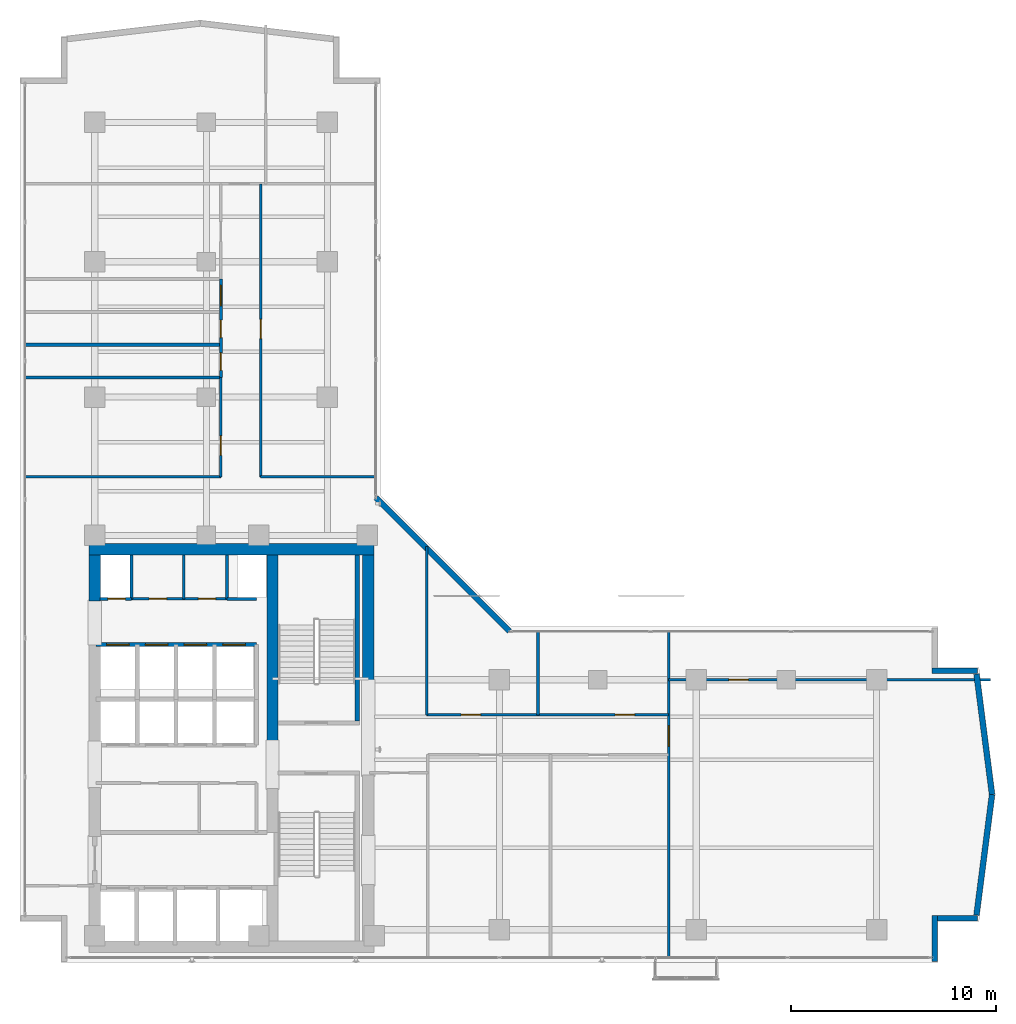
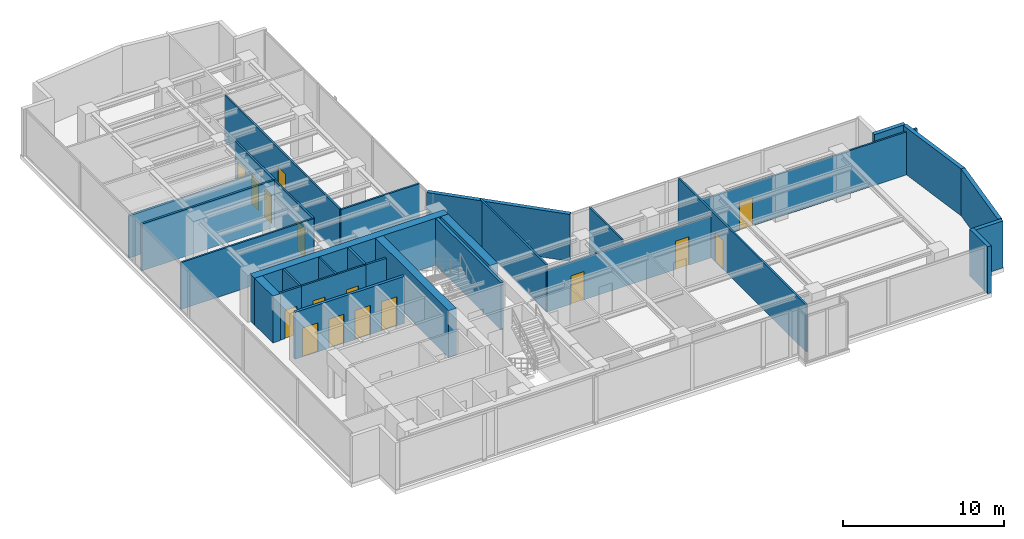
# One storey, part 18 of 25: 30 walls, 16 doors, 16 openings.
"""IFC4 building model written with IfcOpenShell, lengths in metres."""

import ifcopenshell
import ifcopenshell.guid

model = None  # the IFC model being written
_history = None  # IfcOwnerHistory: only IFC2X3 demands one
_inside = {}  # id of a spatial element -> (the spatial element, [elements in it])
_under = {}  # id of a project, library or spatial element -> (it, [spatial elements below it])
_declared = {}  # id of a project -> (the project, [libraries it declares])
_typed = {}  # id of a type object -> (the type object, [elements of that type])
_made_of = {}  # id of a material, layer set ... -> (it, [elements and type objects made of it])


def new_model(schema):
    """Start an empty IFC model of exactly this schema.

    Asked for "IFC4X3", IfcOpenShell would pick the latest addendum, in which some entities
    have other attributes; the version numbers below select the first issue.
    IFC2X3 requires an IfcOwnerHistory on every rooted entity: one is made here for all.
    """
    global model, _history
    if schema == "IFC4X3":
        model = ifcopenshell.file(schema_version=(4, 3, 0, 0))
    else:
        model = ifcopenshell.file(schema=schema)
    _inside.clear()
    _under.clear()
    _declared.clear()
    _typed.clear()
    _made_of.clear()
    _history = None
    if model.schema == "IFC2X3":
        org = make("IfcOrganization", Name="unknown")
        user = make(
            "IfcPersonAndOrganization",
            ThePerson=make("IfcPerson", FamilyName="unknown"),
            TheOrganization=org,
        )
        app = make(
            "IfcApplication",
            ApplicationDeveloper=org,
            Version="unknown",
            ApplicationFullName="unknown",
            ApplicationIdentifier="unknown",
        )
        _history = make(
            "IfcOwnerHistory",
            OwningUser=user,
            OwningApplication=app,
            ChangeAction="ADDED",
            CreationDate=0,
        )
    return model


def make(cls, **values):
    """One entity of the class cls with the attributes given. An attribute that is None is left unset."""
    return model.create_entity(
        cls, **{name: value for name, value in values.items() if value is not None}
    )


def rooted(cls, **values):
    """An entity with a GlobalId (a new one), such as an element, a storey or a relation."""
    return make(cls, GlobalId=ifcopenshell.guid.new(), OwnerHistory=_history, **values)


def si_unit(unit_type, name, prefix=None):
    """IfcSIUnit, for example si_unit("LENGTHUNIT", "METRE", prefix="MILLI")."""
    return make("IfcSIUnit", UnitType=unit_type, Prefix=prefix, Name=name)


def assignment(units):
    """IfcUnitAssignment: the units of a project."""
    return None if units is None else make("IfcUnitAssignment", Units=units)


def point(xyz):
    """IfcCartesianPoint."""
    return None if xyz is None else make("IfcCartesianPoint", Coordinates=xyz)


def direction(xyz):
    """IfcDirection."""
    return None if xyz is None else make("IfcDirection", DirectionRatios=xyz)


def frame(location, z_axis=None, x_axis=None):
    """IfcAxis2Placement3D, a coordinate frame: its origin and axes. An axis left out is left unset."""
    return make(
        "IfcAxis2Placement3D",
        Location=point(location),
        Axis=direction(z_axis),
        RefDirection=direction(x_axis),
    )


def frame_2d(location, x_axis=None):
    """IfcAxis2Placement2D, a coordinate frame in the plane: its origin and x axis."""
    return make(
        "IfcAxis2Placement2D", Location=point(location), RefDirection=direction(x_axis)
    )


def origin():
    """The frame at (0, 0, 0) with its axes left unset."""
    return frame((0.0, 0.0, 0.0))


def place(relative_to, where):
    """IfcLocalPlacement: puts the frame where relative to a parent placement (None: the world)."""
    return make(
        "IfcLocalPlacement", PlacementRelTo=relative_to, RelativePlacement=where
    )


def context(
    kind, dimensions, precision=None, world=None, true_north=None, identifier=None
):
    """IfcGeometricRepresentationContext, for example the 3D "Model" context."""
    return make(
        "IfcGeometricRepresentationContext",
        ContextIdentifier=identifier,
        ContextType=kind,
        CoordinateSpaceDimension=dimensions,
        Precision=precision,
        WorldCoordinateSystem=world,
        TrueNorth=true_north,
    )


def subcontext(parent, identifier, kind, view, scale=None):
    """IfcGeometricRepresentationSubContext, for example "Body" below "Model"."""
    return make(
        "IfcGeometricRepresentationSubContext",
        ContextIdentifier=identifier,
        ContextType=kind,
        ParentContext=parent,
        TargetScale=scale,
        TargetView=view,
    )


def project(units=None, contexts=None):
    """IfcProject with its units and contexts."""
    return rooted(
        "IfcProject",
        Name="project",
        RepresentationContexts=contexts,
        UnitsInContext=assignment(units),
    )


def spatial(cls, under=None, at=None, **own):
    """A site, building, storey or space (cls), placed at a placement, below another one or the project."""
    s = rooted(cls, ObjectPlacement=at, **own)
    if under is not None:
        _under.setdefault(under.id(), (under, []))[1].append(s)
    return s


def profile(cls, at=None, kind="AREA", **sizes):
    """A parametric profile (cls). Its sizes go by their IFC names, for example OverallWidth=200.0."""
    return make(cls, ProfileType=kind, Position=at, **sizes)


def rectangle(**sizes):
    """IfcRectangleProfileDef."""
    return profile("IfcRectangleProfileDef", **sizes)


def extrude(swept, where, along, depth):
    """IfcExtrudedAreaSolid: the profile swept, set in the frame where, extruded along a direction by depth."""
    return make(
        "IfcExtrudedAreaSolid",
        SweptArea=swept,
        Position=where,
        ExtrudedDirection=direction(along),
        Depth=depth,
    )


def shape(context_of_items, identifier, shape_type, items):
    """IfcShapeRepresentation: the items that make up one representation, for example the "Body"."""
    return make(
        "IfcShapeRepresentation",
        ContextOfItems=context_of_items,
        RepresentationIdentifier=identifier,
        RepresentationType=shape_type,
        Items=items,
    )


def material(Name=None, Category=None):
    """IfcMaterial."""
    return make("IfcMaterial", Name=Name, Category=Category)


def layer(
    of_material, thickness, ventilated=None, Name=None, Category=None, Priority=None
):
    """IfcMaterialLayer: one layer of a wall or slab, of a material (None: an air gap)."""
    return make(
        "IfcMaterialLayer",
        Material=of_material,
        LayerThickness=thickness,
        IsVentilated=ventilated,
        Name=Name,
        Category=Category,
        Priority=Priority,
    )


def layer_set(layers, Name=None):
    """IfcMaterialLayerSet."""
    return make("IfcMaterialLayerSet", MaterialLayers=layers, LayerSetName=Name)


def made_of(thing, what):
    """Note that an element or type object is made of a material, layer set ...; save() writes the relation."""
    if what is not None:
        _made_of.setdefault(what.id(), (what, []))[1].append(thing)
    return thing


def type_object(cls, material=None, **own):
    """A type object (cls), such as IfcWallType, which elements share."""
    return made_of(rooted(cls, **own), material)


def element(
    cls,
    number,
    at=None,
    inside=None,
    cuts=None,
    type_object=None,
    material=None,
    context=None,
    identifier="Body",
    shape_type=None,
    held_by="IfcProductDefinitionShape",
    body=None,
    shapes=None,
    **own,
):
    """One element of the class cls, such as IfcWall. Its Tag is "e" and its number.

    at: its placement. inside: the storey or other place that contains it. cuts: it is an
    opening in that element (IfcRelVoidsElement). A single representation is given by context,
    identifier, shape_type and body (its items); several are given by shapes. held_by: the class
    of the entity that holds the representations. save() writes the other relations.
    """
    e = rooted(cls, Tag="e%d" % number, ObjectPlacement=at, **own)
    if body is not None:
        shapes = [shape(context, identifier, shape_type, body)]
    if shapes is not None:
        e.Representation = make(held_by, Representations=shapes)
    if inside is not None:
        _inside.setdefault(inside.id(), (inside, []))[1].append(e)
    if cuts is not None:
        rooted(
            "IfcRelVoidsElement", RelatingBuildingElement=cuts, RelatedOpeningElement=e
        )
    if type_object is not None:
        _typed.setdefault(type_object.id(), (type_object, []))[1].append(e)
    return made_of(e, material)


def fill(opening, filler):
    """IfcRelFillsElement: the door or window that sits in an opening."""
    return rooted(
        "IfcRelFillsElement",
        RelatingOpeningElement=opening,
        RelatedBuildingElement=filler,
    )


def aggregate(whole, parts):
    """IfcRelAggregates: a whole, such as a stair, and the parts it consists of."""
    return rooted("IfcRelAggregates", RelatingObject=whole, RelatedObjects=parts)


def save(model, path):
    """Write the relations noted so far, then the file.

    IfcRelAggregates (storeys below a building ...), IfcRelContainedInSpatialStructure (elements
    in a storey), IfcRelDefinesByType, IfcRelAssociatesMaterial and IfcRelDeclares: one each for
    every whole, place, type object, material and project.
    """
    for whole, parts in _under.values():
        aggregate(whole, parts)
    for where, things in _inside.values():
        rooted(
            "IfcRelContainedInSpatialStructure",
            RelatedElements=things,
            RelatingStructure=where,
        )
    for kind, things in _typed.values():
        rooted("IfcRelDefinesByType", RelatedObjects=things, RelatingType=kind)
    for what, things in _made_of.values():
        rooted("IfcRelAssociatesMaterial", RelatedObjects=things, RelatingMaterial=what)
    for by, libraries in _declared.values():
        rooted("IfcRelDeclares", RelatingContext=by, RelatedDefinitions=libraries)
    model.write(path)


model = new_model("IFC4")

# Units and contexts
model_context = context("Model", 3, precision=1e-05, world=origin(), true_north=direction((0.0, 1.0)))
body_context = subcontext(model_context, "Body", "Model", "MODEL_VIEW")
ifc_project = project(units=[si_unit("LENGTHUNIT", "METRE"), si_unit("AREAUNIT", "SQUARE_METRE"), si_unit("VOLUMEUNIT", "CUBIC_METRE"), si_unit("PLANEANGLEUNIT", "RADIAN"), si_unit("MASSUNIT", "GRAM", prefix="KILO")], contexts=[model_context])

# Site, building, storey
site_placement = place(None, origin())
site = spatial("IfcSite", under=ifc_project, at=site_placement, CompositionType="ELEMENT")
building_placement = place(site_placement, origin())
building = spatial("IfcBuilding", under=site, at=building_placement, Name="Kolvaren Waterfront Exchange", CompositionType="ELEMENT")
storey_placement = place(building_placement, frame((0.0, 0.0, 223.5)))
storey = spatial("IfcBuildingStorey", under=building, at=storey_placement, Name="L57", CompositionType="ELEMENT", Elevation=223.5)

# Walls
ifc_material_1 = material(Name="Precast concrete C40/50", Category="concrete")
ifc_layer_1 = layer(ifc_material_1, 0.280029296875, Name="Precast concrete C40/50")
ifc_layer_set_1 = layer_set([ifc_layer_1], Name="Precast concrete C40/50")
wall_type_1 = type_object("IfcWallType", Name="ARC-EXT-TERR-280", PredefinedType="SOLIDWALL", material=ifc_layer_set_1)
wall_1_placement = place(storey_placement, frame((48.43994140625, 3.659912109375, 0.0), z_axis=(0.0, 0.0, 1.0), x_axis=(0.0, 1.0, 0.0)))
element("IfcWall", 1, at=wall_1_placement, inside=storey, type_object=wall_type_1, Name="L57 notched corner spandrel pier SE-A", PredefinedType="SOLIDWALL", context=body_context, shape_type="SweptSolid", body=[
    extrude(rectangle(XDim=2.239990234375, YDim=0.280029296875, at=frame_2d((1.1201171875, 0.0))), origin(), (0.0, 0.0, 1.0), 3.56005859375),
])
wall_2_placement = place(storey_placement, frame((48.580078125, 5.760009765625, 0.0), z_axis=(0.0, 0.0, 1.0), x_axis=(1.0, 0.0, 0.0)))
element("IfcWall", 2, at=wall_2_placement, inside=storey, type_object=wall_type_1, Name="L57 notched corner spandrel pier SE-B", PredefinedType="SOLIDWALL", context=body_context, shape_type="SweptSolid", body=[
    extrude(rectangle(XDim=1.9599609375, YDim=0.280029296875, at=frame_2d((0.97998046875, 0.0))), origin(), (0.0, 0.0, 1.0), 3.56005859375),
])
wall_3_placement = place(storey_placement, frame((48.300048828125, 17.840087890625, 0.0), z_axis=(0.0, 0.0, 1.0), x_axis=(1.0, 0.0, 0.0)))
element("IfcWall", 3, at=wall_3_placement, inside=storey, type_object=wall_type_1, Name="L57 notched corner spandrel pier ENE-B", PredefinedType="SOLIDWALL", context=body_context, shape_type="SweptSolid", body=[
    extrude(rectangle(XDim=2.239990234375, YDim=0.280029296875, at=frame_2d((1.1201171875, 0.0))), origin(), (0.0, 0.0, 1.0), 3.56005859375),
])
wall_4_placement = place(storey_placement, frame((27.68505859375, 19.77490234375, 0.0), z_axis=(0.0, 0.0, 1.0), x_axis=(-0.707106781187, 0.707106781187, 0.0)))
element("IfcWall", 4, at=wall_4_placement, inside=storey, type_object=wall_type_1, Name="L57 notched corner spandrel pier ELBOW", PredefinedType="SOLIDWALL", context=body_context, shape_type="SweptSolid", body=[
    extrude(rectangle(XDim=9.20654296875, YDim=0.280029296875, at=frame_2d((4.603271484375, 0.0))), origin(), (0.0, 0.0, 1.0), 3.56005859375),
])
for number, where, z_axis, x_axis, name in (
    (5, (50.479736328125, 5.91796875, 0.0), (0.0, 0.0, 1.0), (0.127970031595, 0.991778035154, 0.0), "L57 east prow faceted facade wall 1"),
    (6, (51.23876953125, 11.79931640625, 0.0), (0.0, 0.0, 1.0), (-0.127970031595, 0.991778035154, 0.0), "L57 east prow faceted facade wall 2"),
):
    element("IfcWall", number, at=place(storey_placement, frame(where, z_axis=z_axis, x_axis=x_axis)), inside=storey, type_object=wall_type_1, Name=name, PredefinedType="SOLIDWALL", context=body_context, shape_type="SweptSolid", body=[
        extrude(rectangle(XDim=5.931396484375, YDim=0.280029296875, at=frame_2d((2.9658203125, 0.0))), origin(), (0.0, 0.0, 1.0), 3.56005859375),
    ])

# Wall, openings, doors
ifc_material_2 = material(Name="Acoustic gypsum steel stud", Category="steel")
ifc_layer_2 = layer(ifc_material_2, 0.125, Name="Acoustic gypsum steel stud")
ifc_layer_set_2 = layer_set([ifc_layer_2], Name="Acoustic gypsum steel stud")
wall_type_2 = type_object("IfcWallType", Name="ARC-PART-125", PredefinedType="PARTITIONING", material=ifc_layer_set_2)
wall_5_placement = place(storey_placement, frame((9.25, 21.35009765625, 0.0), z_axis=(0.0, 0.0, 1.0), x_axis=(1.0, 0.0, 0.0)))
wall_5 = element("IfcWall", 7, at=wall_5_placement, inside=storey, type_object=wall_type_2, Name="L57 interior wall PW-L57-SVC-HI-S", PredefinedType="PARTITIONING", context=body_context, shape_type="SweptSolid", body=[
    extrude(rectangle(XDim=4.64990234375, YDim=0.125, at=frame_2d((2.324951171875, 0.0))), origin(), (0.0, 0.0, 1.0), 3.56005859375),
])
opening_1_placement = place(wall_5_placement, frame((0.85009765625, 0.0, 0.0)))
opening_1 = element("IfcOpeningElement", 8, at=opening_1_placement, cuts=wall_5, Name="Opening D01", PredefinedType="OPENING", context=body_context, shape_type="SweptSolid", body=[
    extrude(rectangle(XDim=0.85009765625, YDim=2.14990234375, at=frame_2d((0.425048828125, 1.074951171875))), frame((0.0, 0.072509765625, 0.0), z_axis=(0.0, -1.0, 0.0), x_axis=(1.0, 0.0, 0.0)), (0.0, 0.0, 1.0), 0.14501953125),
])
opening_2_placement = place(wall_5_placement, frame((3.25, 0.0, 0.0)))
opening_2 = element("IfcOpeningElement", 9, at=opening_2_placement, cuts=wall_5, Name="Opening D01", PredefinedType="OPENING", context=body_context, shape_type="SweptSolid", body=[
    extrude(rectangle(XDim=0.85009765625, YDim=2.14990234375, at=frame_2d((0.425048828125, 1.074951171875))), frame((0.0, 0.072509765625, 0.0), z_axis=(0.0, -1.0, 0.0), x_axis=(1.0, 0.0, 0.0)), (0.0, 0.0, 1.0), 0.14501953125),
])
ifc_material_3 = material(Name="Oak veneer timber leaf", Category="wood")
door_type_1 = type_object("IfcDoorType", Name="ARC-DR-900", OperationType="NOTDEFINED", PredefinedType="DOOR", material=ifc_material_3)
door_1_placement = place(opening_1_placement, origin())
door_1 = element("IfcDoor", 10, at=door_1_placement, inside=storey, type_object=door_type_1, Name="L57 door DR-L57-SVC-DR-1 (D01)", OperationType="SINGLE_SWING_RIGHT", OverallHeight=2.14990234375, OverallWidth=0.85009765625, PredefinedType="DOOR", context=body_context, shape_type="SweptSolid", body=[
    extrude(rectangle(XDim=0.85009765625, YDim=2.14990234375, at=frame_2d((0.425048828125, 1.074951171875))), frame((0.0, 0.02490234375, 0.0), z_axis=(0.0, -1.0, 0.0), x_axis=(1.0, 0.0, 0.0)), (0.0, 0.0, 1.0), 0.050048828125),
])
fill(opening_1, door_1)
door_2_placement = place(opening_2_placement, origin())
door_2 = element("IfcDoor", 11, at=door_2_placement, inside=storey, type_object=door_type_1, Name="L57 door DR-L57-SVC-DR-2 (D01)", OperationType="SINGLE_SWING_LEFT", OverallHeight=2.14990234375, OverallWidth=0.85009765625, PredefinedType="DOOR", context=body_context, shape_type="SweptSolid", body=[
    extrude(rectangle(XDim=0.85009765625, YDim=2.14990234375, at=frame_2d((0.425048828125, 1.074951171875))), frame((0.0, 0.02490234375, 0.0), z_axis=(0.0, -1.0, 0.0), x_axis=(1.0, 0.0, 0.0)), (0.0, 0.0, 1.0), 0.050048828125),
])
fill(opening_2, door_2)

# Wall
wall_6_placement = place(storey_placement, frame((11.800048828125, 21.35009765625, 0.0), z_axis=(0.0, 0.0, 1.0), x_axis=(0.0, 1.0, 0.0)))
element("IfcWall", 12, at=wall_6_placement, inside=storey, type_object=wall_type_2, Name="L57 interior wall PW-L57-SVC-HI-M", PredefinedType="PARTITIONING", context=body_context, shape_type="SweptSolid", body=[
    extrude(rectangle(XDim=2.1298828125, YDim=0.125, at=frame_2d((1.06494140625, 0.0))), origin(), (0.0, 0.0, 1.0), 3.56005859375),
])

# Wall, opening, door
wall_7_placement = place(storey_placement, frame((13.60009765625, 27.300048828125, 0.0), z_axis=(0.0, 0.0, 1.0), x_axis=(0.0, 1.0, 0.0)))
wall_7 = element("IfcWall", 13, at=wall_7_placement, inside=storey, type_object=wall_type_2, Name="L57 interior wall PW-L57-PREWC-E", PredefinedType="PARTITIONING", context=body_context, shape_type="SweptSolid", body=[
    extrude(rectangle(XDim=4.849853515625, YDim=0.125, at=frame_2d((2.4248046875, 0.0))), origin(), (0.0, 0.0, 1.0), 3.56005859375),
])
opening_3_placement = place(wall_7_placement, frame((1.050048828125, 0.0, 0.0)))
opening_3 = element("IfcOpeningElement", 14, at=opening_3_placement, cuts=wall_7, Name="Opening D02", PredefinedType="OPENING", context=body_context, shape_type="SweptSolid", body=[
    extrude(rectangle(XDim=0.949951171875, YDim=2.14990234375, at=frame_2d((0.47509765625, 1.074951171875))), frame((0.0, 0.072509765625, 0.0), z_axis=(0.0, -1.0, 0.0), x_axis=(1.0, 0.0, 0.0)), (0.0, 0.0, 1.0), 0.14501953125),
])
ifc_material_4 = material(Name="Oak veneer acoustic timber", Category="wood")
door_type_2 = type_object("IfcDoorType", Name="ARC-DR-950", OperationType="NOTDEFINED", PredefinedType="DOOR", material=ifc_material_4)
door_3_placement = place(opening_3_placement, origin())
door_3 = element("IfcDoor", 15, at=door_3_placement, inside=storey, type_object=door_type_2, Name="L57 door DR-L57-PREWC-D (D02)", OperationType="SINGLE_SWING_RIGHT", OverallHeight=2.14990234375, OverallWidth=0.949951171875, PredefinedType="DOOR", context=body_context, shape_type="SweptSolid", body=[
    extrude(rectangle(XDim=0.949951171875, YDim=2.14990234375, at=frame_2d((0.47509765625, 1.074951171875))), frame((0.0, 0.02490234375, 0.0), z_axis=(0.0, -1.0, 0.0), x_axis=(1.0, 0.0, 0.0)), (0.0, 0.0, 1.0), 0.050048828125),
])
fill(opening_3, door_3)

# Wall
wall_8_placement = place(storey_placement, frame((4.0400390625, 27.300048828125, 0.0), z_axis=(0.0, 0.0, 1.0), x_axis=(1.0, 0.0, 0.0)))
element("IfcWall", 16, at=wall_8_placement, inside=storey, type_object=wall_type_2, Name="L57 interior wall PW-L57-PREWC-S", PredefinedType="PARTITIONING", context=body_context, shape_type="SweptSolid", body=[
    extrude(rectangle(XDim=9.56005859375, YDim=0.125, at=frame_2d((4.780029296875, 0.0))), origin(), (0.0, 0.0, 1.0), 3.56005859375),
])

# Wall, opening, door
wall_9_placement = place(storey_placement, frame((35.449951171875, 3.840087890625, 0.0), z_axis=(0.0, 0.0, 1.0), x_axis=(0.0, 1.0, 0.0)))
wall_9 = element("IfcWall", 17, at=wall_9_placement, inside=storey, type_object=wall_type_2, Name="L57 interior wall PW-L57-ETIP-W", PredefinedType="PARTITIONING", context=body_context, shape_type="SweptSolid", body=[
    extrude(rectangle(XDim=15.919921875, YDim=0.125, at=frame_2d((7.9599609375, 0.0))), origin(), (0.0, 0.0, 1.0), 3.56005859375),
])
opening_4_placement = place(wall_9_placement, frame((10.31005859375, 0.0, 0.0)))
opening_4 = element("IfcOpeningElement", 18, at=opening_4_placement, cuts=wall_9, Name="Opening D03", PredefinedType="OPENING", context=body_context, shape_type="SweptSolid", body=[
    extrude(rectangle(XDim=1.0, YDim=2.199951171875, at=frame_2d((0.5, 1.10009765625))), frame((0.0, 0.072509765625, 0.0), z_axis=(0.0, -1.0, 0.0), x_axis=(1.0, 0.0, 0.0)), (0.0, 0.0, 1.0), 0.14501953125),
])
ifc_material_5 = material(Name="Oak veneer accessible timber", Category="wood")
door_type_3 = type_object("IfcDoorType", Name="ARC-DR-1000", OperationType="NOTDEFINED", PredefinedType="DOOR", material=ifc_material_5)
door_4_placement = place(opening_4_placement, origin())
door_4 = element("IfcDoor", 19, at=door_4_placement, inside=storey, type_object=door_type_3, Name="L57 door DR-L57-ETIP1-D (D03)", OperationType="SINGLE_SWING_RIGHT", OverallHeight=2.199951171875, OverallWidth=1.0, PredefinedType="DOOR", context=body_context, shape_type="SweptSolid", body=[
    extrude(rectangle(XDim=1.0, YDim=2.199951171875, at=frame_2d((0.5, 1.10009765625))), frame((0.0, 0.02490234375, 0.0), z_axis=(0.0, -1.0, 0.0), x_axis=(1.0, 0.0, 0.0)), (0.0, 0.0, 1.0), 0.050048828125),
])
fill(opening_4, door_4)

wall_10_placement = place(storey_placement, frame((35.449951171875, 17.39990234375, 0.0), z_axis=(0.0, 0.0, 1.0), x_axis=(1.0, 0.0, 0.0)))
wall_10 = element("IfcWall", 20, at=wall_10_placement, inside=storey, type_object=wall_type_2, Name="L57 interior wall PW-L57-ETIP-MID", PredefinedType="PARTITIONING", context=body_context, shape_type="SweptSolid", body=[
    extrude(rectangle(XDim=15.7099609375, YDim=0.125, at=frame_2d((7.85498046875, 0.0))), origin(), (0.0, 0.0, 1.0), 3.260009765625),
])
opening_5_placement = place(wall_10_placement, frame((2.949951171875, 0.0, 0.0)))
opening_5 = element("IfcOpeningElement", 21, at=opening_5_placement, cuts=wall_10, Name="Opening D02", PredefinedType="OPENING", context=body_context, shape_type="SweptSolid", body=[
    extrude(rectangle(XDim=0.949951171875, YDim=2.14990234375, at=frame_2d((0.47509765625, 1.074951171875))), frame((0.0, 0.072509765625, 0.0), z_axis=(0.0, -1.0, 0.0), x_axis=(1.0, 0.0, 0.0)), (0.0, 0.0, 1.0), 0.14501953125),
])
door_5_placement = place(opening_5_placement, origin())
door_5 = element("IfcDoor", 22, at=door_5_placement, inside=storey, type_object=door_type_2, Name="L57 door DR-L57-ETIP2-D (D02)", OperationType="SINGLE_SWING_LEFT", OverallHeight=2.14990234375, OverallWidth=0.949951171875, PredefinedType="DOOR", context=body_context, shape_type="SweptSolid", body=[
    extrude(rectangle(XDim=0.949951171875, YDim=2.14990234375, at=frame_2d((0.47509765625, 1.074951171875))), frame((0.0, 0.02490234375, 0.0), z_axis=(0.0, -1.0, 0.0), x_axis=(1.0, 0.0, 0.0)), (0.0, 0.0, 1.0), 0.050048828125),
])
fill(opening_5, door_5)

# Wall
wall_11_placement = place(storey_placement, frame((23.64990234375, 15.68994140625, 0.0), z_axis=(0.0, 0.0, 1.0), x_axis=(0.0, 1.0, 0.0)))
element("IfcWall", 23, at=wall_11_placement, inside=storey, type_object=wall_type_2, Name="L57 interior wall PW-L57-EN-W0", PredefinedType="PARTITIONING", context=body_context, shape_type="SweptSolid", body=[
    extrude(rectangle(XDim=8.219970703125, YDim=0.125, at=frame_2d((4.10986328125, 0.0))), origin(), (0.0, 0.0, 1.0), 3.56005859375),
])

# Wall, openings, doors
wall_12_placement = place(storey_placement, frame((23.64990234375, 15.68994140625, 0.0), z_axis=(0.0, 0.0, 1.0), x_axis=(1.0, 0.0, 0.0)))
wall_12 = element("IfcWall", 24, at=wall_12_placement, inside=storey, type_object=wall_type_2, Name="L57 interior wall PW-L57-EN-CORR", PredefinedType="PARTITIONING", context=body_context, shape_type="SweptSolid", body=[
    extrude(rectangle(XDim=11.800048828125, YDim=0.125, at=frame_2d((5.89990234375, 0.0))), origin(), (0.0, 0.0, 1.0), 3.199951171875),
])
opening_6_placement = place(wall_12_placement, frame((1.673828125, 0.0, 0.0)))
opening_6 = element("IfcOpeningElement", 25, at=opening_6_placement, cuts=wall_12, Name="Opening D02", PredefinedType="OPENING", context=body_context, shape_type="SweptSolid", body=[
    extrude(rectangle(XDim=0.949951171875, YDim=2.14990234375, at=frame_2d((0.47509765625, 1.074951171875))), frame((0.0, 0.072509765625, 0.0), z_axis=(0.0, -1.0, 0.0), x_axis=(1.0, 0.0, 0.0)), (0.0, 0.0, 1.0), 0.14501953125),
])
opening_7_placement = place(wall_12_placement, frame((9.18994140625, 0.0, 0.0)))
opening_7 = element("IfcOpeningElement", 26, at=opening_7_placement, cuts=wall_12, Name="Opening D02", PredefinedType="OPENING", context=body_context, shape_type="SweptSolid", body=[
    extrude(rectangle(XDim=0.949951171875, YDim=2.14990234375, at=frame_2d((0.47509765625, 1.074951171875))), frame((0.0, 0.072509765625, 0.0), z_axis=(0.0, -1.0, 0.0), x_axis=(1.0, 0.0, 0.0)), (0.0, 0.0, 1.0), 0.14501953125),
])
door_6_placement = place(opening_6_placement, origin())
door_6 = element("IfcDoor", 27, at=door_6_placement, inside=storey, type_object=door_type_2, Name="L57 door DR-L57-EN-D-1 (D02)", OperationType="SINGLE_SWING_RIGHT", OverallHeight=2.14990234375, OverallWidth=0.949951171875, PredefinedType="DOOR", context=body_context, shape_type="SweptSolid", body=[
    extrude(rectangle(XDim=0.949951171875, YDim=2.14990234375, at=frame_2d((0.47509765625, 1.074951171875))), frame((0.0, 0.02490234375, 0.0), z_axis=(0.0, -1.0, 0.0), x_axis=(1.0, 0.0, 0.0)), (0.0, 0.0, 1.0), 0.050048828125),
])
fill(opening_6, door_6)
door_7_placement = place(opening_7_placement, origin())
door_7 = element("IfcDoor", 28, at=door_7_placement, inside=storey, type_object=door_type_2, Name="L57 door DR-L57-EN-D-2 (D02)", OperationType="SINGLE_SWING_LEFT", OverallHeight=2.14990234375, OverallWidth=0.949951171875, PredefinedType="DOOR", context=body_context, shape_type="SweptSolid", body=[
    extrude(rectangle(XDim=0.949951171875, YDim=2.14990234375, at=frame_2d((0.47509765625, 1.074951171875))), frame((0.0, 0.02490234375, 0.0), z_axis=(0.0, -1.0, 0.0), x_axis=(1.0, 0.0, 0.0)), (0.0, 0.0, 1.0), 0.050048828125),
])
fill(opening_7, door_7)

# Walls
wall_13_placement = place(storey_placement, frame((29.080078125, 15.68994140625, 0.0), z_axis=(0.0, 0.0, 1.0), x_axis=(0.0, 1.0, 0.0)))
element("IfcWall", 29, at=wall_13_placement, inside=storey, type_object=wall_type_2, Name="L57 interior wall PW-L57-EN-DIV-1", PredefinedType="PARTITIONING", context=body_context, shape_type="SweptSolid", body=[
    extrude(rectangle(XDim=4.070068359375, YDim=0.125, at=frame_2d((2.03515625, 0.0))), origin(), (0.0, 0.0, 1.0), 3.56005859375),
])
wall_14_placement = place(storey_placement, frame((15.5400390625, 27.300048828125, 0.0), z_axis=(0.0, 0.0, 1.0), x_axis=(1.0, 0.0, 0.0)))
element("IfcWall", 30, at=wall_14_placement, inside=storey, type_object=wall_type_2, Name="L57 interior wall PW-L57-NE-S0", PredefinedType="PARTITIONING", context=body_context, shape_type="SweptSolid", body=[
    extrude(rectangle(XDim=5.619873046875, YDim=0.125, at=frame_2d((2.81005859375, 0.0))), origin(), (0.0, 0.0, 1.0), 3.56005859375),
])

# Wall, opening, door
wall_15_placement = place(storey_placement, frame((15.5400390625, 27.300048828125, 0.0), z_axis=(0.0, 0.0, 1.0), x_axis=(0.0, 1.0, 0.0)))
wall_15 = element("IfcWall", 31, at=wall_15_placement, inside=storey, type_object=wall_type_2, Name="L57 interior wall PW-L57-NE-CORR", PredefinedType="PARTITIONING", context=body_context, shape_type="SweptSolid", body=[
    extrude(rectangle(XDim=14.300048828125, YDim=0.125, at=frame_2d((7.14990234375, 0.0))), origin(), (0.0, 0.0, 1.0), 3.56005859375),
])
opening_8_placement = place(wall_15_placement, frame((6.74560546875, 0.0, 0.0)))
opening_8 = element("IfcOpeningElement", 32, at=opening_8_placement, cuts=wall_15, Name="Opening D02", PredefinedType="OPENING", context=body_context, shape_type="SweptSolid", body=[
    extrude(rectangle(XDim=0.949951171875, YDim=2.14990234375, at=frame_2d((0.47509765625, 1.074951171875))), frame((0.0, 0.072509765625, 0.0), z_axis=(0.0, -1.0, 0.0), x_axis=(1.0, 0.0, 0.0)), (0.0, 0.0, 1.0), 0.14501953125),
])
door_8_placement = place(opening_8_placement, origin())
door_8 = element("IfcDoor", 33, at=door_8_placement, inside=storey, type_object=door_type_2, Name="L57 door DR-L57-NE-D-1 (D02)", OperationType="SINGLE_SWING_LEFT", OverallHeight=2.14990234375, OverallWidth=0.949951171875, PredefinedType="DOOR", context=body_context, shape_type="SweptSolid", body=[
    extrude(rectangle(XDim=0.949951171875, YDim=2.14990234375, at=frame_2d((0.47509765625, 1.074951171875))), frame((0.0, 0.02490234375, 0.0), z_axis=(0.0, -1.0, 0.0), x_axis=(1.0, 0.0, 0.0)), (0.0, 0.0, 1.0), 0.050048828125),
])
fill(opening_8, door_8)

# Walls
ifc_material_6 = material(Name="Gypsum fireboard steel stud", Category="steel")
ifc_layer_3 = layer(ifc_material_6, 0.14990234375, Name="Gypsum fireboard steel stud")
ifc_layer_set_3 = layer_set([ifc_layer_3], Name="Gypsum fireboard steel stud")
wall_type_3 = type_object("IfcWallType", Name="ARC-PART-150", PredefinedType="PARTITIONING", material=ifc_layer_set_3)
for number, where, z_axis, x_axis, name in (
    (34, (9.25, 21.35009765625, 0.0), (0.0, 0.0, 1.0), (0.0, 1.0, 0.0), "L57 interior wall PW-L57-SVC-R1"),
    (35, (13.89990234375, 21.35009765625, 0.0), (0.0, 0.0, 1.0), (0.0, 1.0, 0.0), "L57 interior wall PW-L57-SVC-R2"),
):
    element("IfcWall", number, at=place(storey_placement, frame(where, z_axis=z_axis, x_axis=x_axis)), inside=storey, type_object=wall_type_3, Name=name, PredefinedType="PARTITIONING", context=body_context, shape_type="SweptSolid", body=[
        extrude(rectangle(XDim=2.1298828125, YDim=0.14990234375, at=frame_2d((1.06494140625, 0.0))), origin(), (0.0, 0.0, 1.0), 3.56005859375),
    ])

# Wall, opening, door
wall_16_placement = place(storey_placement, frame((7.699951171875, 21.35009765625, 0.0), z_axis=(0.0, 0.0, 1.0), x_axis=(1.0, 0.0, 0.0)))
wall_16 = element("IfcWall", 36, at=wall_16_placement, inside=storey, type_object=wall_type_3, Name="L57 interior wall PW-L57-SVC-RE-S", PredefinedType="PARTITIONING", context=body_context, shape_type="SweptSolid", body=[
    extrude(rectangle(XDim=1.550048828125, YDim=0.14990234375, at=frame_2d((0.77490234375, 0.0))), origin(), (0.0, 0.0, 1.0), 3.56005859375),
])
opening_9_placement = place(wall_16_placement, frame((0.389892578125, 0.0, 0.0)))
opening_9 = element("IfcOpeningElement", 37, at=opening_9_placement, cuts=wall_16, Name="Opening FD1", PredefinedType="OPENING", context=body_context, shape_type="SweptSolid", body=[
    extrude(rectangle(XDim=0.85009765625, YDim=2.14990234375, at=frame_2d((0.425048828125, 1.074951171875))), frame((0.0, 0.0849609375, 0.0), z_axis=(0.0, -1.0, 0.0), x_axis=(1.0, 0.0, 0.0)), (0.0, 0.0, 1.0), 0.169921875),
])
ifc_material_7 = material(Name="Pressed steel fire leaf", Category="steel")
door_type_4 = type_object("IfcDoorType", Name="ARC-FD-900", OperationType="NOTDEFINED", PredefinedType="DOOR", material=ifc_material_7)
door_9_placement = place(opening_9_placement, origin())
door_9 = element("IfcDoor", 38, at=door_9_placement, inside=storey, type_object=door_type_4, Name="L57 door DR-L57-RISER-E-DR (FD1)", OperationType="SINGLE_SWING_LEFT", OverallHeight=2.14990234375, OverallWidth=0.85009765625, PredefinedType="DOOR", context=body_context, shape_type="SweptSolid", body=[
    extrude(rectangle(XDim=0.85009765625, YDim=2.14990234375, at=frame_2d((0.425048828125, 1.074951171875))), frame((0.0, 0.02490234375, 0.0), z_axis=(0.0, -1.0, 0.0), x_axis=(1.0, 0.0, 0.0)), (0.0, 0.0, 1.0), 0.050048828125),
])
fill(opening_9, door_9)

# Walls
wall_17_placement = place(storey_placement, frame((13.89990234375, 21.35009765625, 0.0), z_axis=(0.0, 0.0, 1.0), x_axis=(1.0, 0.0, 0.0)))
element("IfcWall", 39, at=wall_17_placement, inside=storey, type_object=wall_type_3, Name="L57 interior wall PW-L57-SVC-RP-S", PredefinedType="PARTITIONING", context=body_context, shape_type="SweptSolid", body=[
    extrude(rectangle(XDim=1.4501953125, YDim=0.14990234375, at=frame_2d((0.72509765625, 0.0))), origin(), (0.0, 0.0, 1.0), 3.56005859375),
])
ifc_material_8 = material(Name="Moisture-resistant gypsum stud")
ifc_layer_4 = layer(ifc_material_8, 0.14990234375, Name="Moisture-resistant gypsum stud")
ifc_layer_set_4 = layer_set([ifc_layer_4], Name="Moisture-resistant gypsum stud")
wall_type_4 = type_object("IfcWallType", Name="ARC-PLUMB-150", PredefinedType="PLUMBINGWALL", material=ifc_layer_set_4)
wall_18_placement = place(storey_placement, frame((4.0400390625, 32.14990234375, 0.0), z_axis=(0.0, 0.0, 1.0), x_axis=(1.0, 0.0, 0.0)))
element("IfcWall", 40, at=wall_18_placement, inside=storey, type_object=wall_type_4, Name="L57 interior wall PW-L57-WC-0", PredefinedType="PLUMBINGWALL", context=body_context, shape_type="SweptSolid", body=[
    extrude(rectangle(XDim=9.56005859375, YDim=0.14990234375, at=frame_2d((4.780029296875, 0.0))), origin(), (0.0, 0.0, 1.0), 3.56005859375),
])

# Wall, openings, doors
wall_19_placement = place(storey_placement, frame((13.60009765625, 32.14990234375, 0.0), z_axis=(0.0, 0.0, 1.0), x_axis=(0.0, 1.0, 0.0)))
wall_19 = element("IfcWall", 41, at=wall_19_placement, inside=storey, type_object=wall_type_4, Name="L57 interior wall PW-L57-WC-E", PredefinedType="PLUMBINGWALL", context=body_context, shape_type="SweptSolid", body=[
    extrude(rectangle(XDim=4.800048828125, YDim=0.14990234375, at=frame_2d((2.39990234375, 0.0))), origin(), (0.0, 0.0, 1.0), 3.56005859375),
])
opening_10_placement = place(wall_19_placement, frame((0.35009765625, 0.0, 0.0)))
opening_10 = element("IfcOpeningElement", 42, at=opening_10_placement, cuts=wall_19, Name="Opening D01", PredefinedType="OPENING", context=body_context, shape_type="SweptSolid", body=[
    extrude(rectangle(XDim=0.85009765625, YDim=2.14990234375, at=frame_2d((0.425048828125, 1.074951171875))), frame((0.0, 0.0849609375, 0.0), z_axis=(0.0, -1.0, 0.0), x_axis=(1.0, 0.0, 0.0)), (0.0, 0.0, 1.0), 0.169921875),
])
opening_11_placement = place(wall_19_placement, frame((1.949951171875, 0.0, 0.0)))
opening_11 = element("IfcOpeningElement", 43, at=opening_11_placement, cuts=wall_19, Name="Opening D01", PredefinedType="OPENING", context=body_context, shape_type="SweptSolid", body=[
    extrude(rectangle(XDim=0.85009765625, YDim=2.14990234375, at=frame_2d((0.425048828125, 1.074951171875))), frame((0.0, 0.0849609375, 0.0), z_axis=(0.0, -1.0, 0.0), x_axis=(1.0, 0.0, 0.0)), (0.0, 0.0, 1.0), 0.169921875),
])
opening_12_placement = place(wall_19_placement, frame((3.5, 0.0, 0.0)))
opening_12 = element("IfcOpeningElement", 44, at=opening_12_placement, cuts=wall_19, Name="Opening D03", PredefinedType="OPENING", context=body_context, shape_type="SweptSolid", body=[
    extrude(rectangle(XDim=1.0, YDim=2.199951171875, at=frame_2d((0.5, 1.10009765625))), frame((0.0, 0.0849609375, 0.0), z_axis=(0.0, -1.0, 0.0), x_axis=(1.0, 0.0, 0.0)), (0.0, 0.0, 1.0), 0.169921875),
])
door_10_placement = place(opening_12_placement, origin())
door_10 = element("IfcDoor", 45, at=door_10_placement, inside=storey, type_object=door_type_3, Name="L57 door DR-L57-WCA-D (D03)", OperationType="SINGLE_SWING_LEFT", OverallHeight=2.199951171875, OverallWidth=1.0, PredefinedType="DOOR", context=body_context, shape_type="SweptSolid", body=[
    extrude(rectangle(XDim=1.0, YDim=2.199951171875, at=frame_2d((0.5, 1.10009765625))), frame((0.0, 0.02490234375, 0.0), z_axis=(0.0, -1.0, 0.0), x_axis=(1.0, 0.0, 0.0)), (0.0, 0.0, 1.0), 0.050048828125),
])
fill(opening_12, door_10)
door_11_placement = place(opening_10_placement, origin())
door_11 = element("IfcDoor", 46, at=door_11_placement, inside=storey, type_object=door_type_1, Name="L57 door DR-L57-WCM-D (D01)", OperationType="SINGLE_SWING_LEFT", OverallHeight=2.14990234375, OverallWidth=0.85009765625, PredefinedType="DOOR", context=body_context, shape_type="SweptSolid", body=[
    extrude(rectangle(XDim=0.85009765625, YDim=2.14990234375, at=frame_2d((0.425048828125, 1.074951171875))), frame((0.0, 0.02490234375, 0.0), z_axis=(0.0, -1.0, 0.0), x_axis=(1.0, 0.0, 0.0)), (0.0, 0.0, 1.0), 0.050048828125),
])
fill(opening_10, door_11)
door_12_placement = place(opening_11_placement, origin())
door_12 = element("IfcDoor", 47, at=door_12_placement, inside=storey, type_object=door_type_1, Name="L57 door DR-L57-WCF-D (D01)", OperationType="SINGLE_SWING_RIGHT", OverallHeight=2.14990234375, OverallWidth=0.85009765625, PredefinedType="DOOR", context=body_context, shape_type="SweptSolid", body=[
    extrude(rectangle(XDim=0.85009765625, YDim=2.14990234375, at=frame_2d((0.425048828125, 1.074951171875))), frame((0.0, 0.02490234375, 0.0), z_axis=(0.0, -1.0, 0.0), x_axis=(1.0, 0.0, 0.0)), (0.0, 0.0, 1.0), 0.050048828125),
])
fill(opening_11, door_12)

# Walls
wall_20_placement = place(storey_placement, frame((4.0400390625, 33.75, 0.0), z_axis=(0.0, 0.0, 1.0), x_axis=(1.0, 0.0, 0.0)))
element("IfcWall", 48, at=wall_20_placement, inside=storey, type_object=wall_type_4, Name="L57 interior wall PW-L57-WC-1", PredefinedType="PLUMBINGWALL", context=body_context, shape_type="SweptSolid", body=[
    extrude(rectangle(XDim=9.56005859375, YDim=0.14990234375, at=frame_2d((4.780029296875, 0.0))), origin(), (0.0, 0.0, 1.0), 3.199951171875),
])
ifc_material_9 = material(Name="Concrete C40/50", Category="concrete")
ifc_layer_5 = layer(ifc_material_9, 0.199951171875, Name="Concrete C40/50")
ifc_layer_set_5 = layer_set([ifc_layer_5], Name="Concrete C40/50")
wall_type_5 = type_object("IfcWallType", Name="ARC-SHAFT-200", PredefinedType="PARTITIONING", material=ifc_layer_set_5)
wall_21_placement = place(storey_placement, frame((20.260009765625, 15.39990234375, 0.0), z_axis=(0.0, 0.0, 1.0), x_axis=(0.0, 1.0, 0.0)))
element("IfcWall", 49, at=wall_21_placement, inside=storey, type_object=wall_type_5, Name="L57 structural stairwell wall PW-L57-ST2-E", PredefinedType="SHEAR", context=body_context, shape_type="SweptSolid", body=[
    extrude(rectangle(XDim=8.090087890625, YDim=0.199951171875, at=frame_2d((4.044921875, 0.0))), origin(), (0.0, 0.0, 1.0), 3.56005859375),
])

# Wall, openings, doors
wall_22_placement = place(storey_placement, frame((7.5, 19.1201171875, 0.0), z_axis=(0.0, 0.0, 1.0), x_axis=(1.0, 0.0, 0.0)))
wall_22 = element("IfcWall", 50, at=wall_22_placement, inside=storey, type_object=wall_type_5, Name="L57 interior wall PW-L57-PH-N", PredefinedType="PARTITIONING", context=body_context, shape_type="SweptSolid", body=[
    extrude(rectangle(XDim=7.85009765625, YDim=0.199951171875, at=frame_2d((3.925048828125, 0.0))), origin(), (0.0, 0.0, 1.0), 3.56005859375),
])
opening_13_placement = place(wall_22_placement, frame((0.530029296875, 0.0, 0.0)))
opening_13 = element("IfcOpeningElement", 51, at=opening_13_placement, cuts=wall_22, Name="Opening LD2", PredefinedType="OPENING", context=body_context, shape_type="SweptSolid", body=[
    extrude(rectangle(XDim=1.10009765625, YDim=2.199951171875, at=frame_2d((0.550048828125, 1.10009765625))), frame((0.0, 0.10986328125, 0.0), z_axis=(0.0, -1.0, 0.0), x_axis=(1.0, 0.0, 0.0)), (0.0, 0.0, 1.0), 0.219970703125),
])
opening_14_placement = place(wall_22_placement, frame((2.419921875, 0.0, 0.0)))
opening_14 = element("IfcOpeningElement", 52, at=opening_14_placement, cuts=wall_22, Name="Opening LD2", PredefinedType="OPENING", context=body_context, shape_type="SweptSolid", body=[
    extrude(rectangle(XDim=1.10009765625, YDim=2.199951171875, at=frame_2d((0.550048828125, 1.10009765625))), frame((0.0, 0.10986328125, 0.0), z_axis=(0.0, -1.0, 0.0), x_axis=(1.0, 0.0, 0.0)), (0.0, 0.0, 1.0), 0.219970703125),
])
opening_15_placement = place(wall_22_placement, frame((4.31005859375, 0.0, 0.0)))
opening_15 = element("IfcOpeningElement", 53, at=opening_15_placement, cuts=wall_22, Name="Opening LD2", PredefinedType="OPENING", context=body_context, shape_type="SweptSolid", body=[
    extrude(rectangle(XDim=1.10009765625, YDim=2.199951171875, at=frame_2d((0.550048828125, 1.10009765625))), frame((0.0, 0.10986328125, 0.0), z_axis=(0.0, -1.0, 0.0), x_axis=(1.0, 0.0, 0.0)), (0.0, 0.0, 1.0), 0.219970703125),
])
opening_16_placement = place(wall_22_placement, frame((6.199951171875, 0.0, 0.0)))
opening_16 = element("IfcOpeningElement", 54, at=opening_16_placement, cuts=wall_22, Name="Opening LD2", PredefinedType="OPENING", context=body_context, shape_type="SweptSolid", body=[
    extrude(rectangle(XDim=1.10009765625, YDim=2.199951171875, at=frame_2d((0.550048828125, 1.10009765625))), frame((0.0, 0.10986328125, 0.0), z_axis=(0.0, -1.0, 0.0), x_axis=(1.0, 0.0, 0.0)), (0.0, 0.0, 1.0), 0.219970703125),
])
ifc_material_10 = material(Name="Brushed bronze sliding landing door", Category="aluminium")
door_type_5 = type_object("IfcDoorType", Name="ARC-LD-PAX", OperationType="SLIDING_TO_LEFT", PredefinedType="DOOR", material=ifc_material_10)
door_13_placement = place(opening_13_placement, origin())
door_13 = element("IfcDoor", 55, at=door_13_placement, inside=storey, type_object=door_type_5, Name="L57 door LD-L57-PH1 (LD2)", OperationType="SLIDING_TO_LEFT", OverallHeight=2.199951171875, OverallWidth=1.10009765625, PredefinedType="DOOR", context=body_context, shape_type="SweptSolid", body=[
    extrude(rectangle(XDim=1.10009765625, YDim=2.199951171875, at=frame_2d((0.550048828125, 1.10009765625))), frame((0.0, 0.02490234375, 0.0), z_axis=(0.0, -1.0, 0.0), x_axis=(1.0, 0.0, 0.0)), (0.0, 0.0, 1.0), 0.050048828125),
])
fill(opening_13, door_13)
door_14_placement = place(opening_14_placement, origin())
door_14 = element("IfcDoor", 56, at=door_14_placement, inside=storey, type_object=door_type_5, Name="L57 door LD-L57-PH2 (LD2)", OperationType="SLIDING_TO_LEFT", OverallHeight=2.199951171875, OverallWidth=1.10009765625, PredefinedType="DOOR", context=body_context, shape_type="SweptSolid", body=[
    extrude(rectangle(XDim=1.10009765625, YDim=2.199951171875, at=frame_2d((0.550048828125, 1.10009765625))), frame((0.0, 0.02490234375, 0.0), z_axis=(0.0, -1.0, 0.0), x_axis=(1.0, 0.0, 0.0)), (0.0, 0.0, 1.0), 0.050048828125),
])
fill(opening_14, door_14)
door_15_placement = place(opening_15_placement, origin())
door_15 = element("IfcDoor", 57, at=door_15_placement, inside=storey, type_object=door_type_5, Name="L57 door LD-L57-PH3 (LD2)", OperationType="SLIDING_TO_LEFT", OverallHeight=2.199951171875, OverallWidth=1.10009765625, PredefinedType="DOOR", context=body_context, shape_type="SweptSolid", body=[
    extrude(rectangle(XDim=1.10009765625, YDim=2.199951171875, at=frame_2d((0.550048828125, 1.10009765625))), frame((0.0, 0.02490234375, 0.0), z_axis=(0.0, -1.0, 0.0), x_axis=(1.0, 0.0, 0.0)), (0.0, 0.0, 1.0), 0.050048828125),
])
fill(opening_15, door_15)
door_16_placement = place(opening_16_placement, origin())
door_16 = element("IfcDoor", 58, at=door_16_placement, inside=storey, type_object=door_type_5, Name="L57 door LD-L57-PH4 (LD2)", OperationType="SLIDING_TO_LEFT", OverallHeight=2.199951171875, OverallWidth=1.10009765625, PredefinedType="DOOR", context=body_context, shape_type="SweptSolid", body=[
    extrude(rectangle(XDim=1.10009765625, YDim=2.199951171875, at=frame_2d((0.550048828125, 1.10009765625))), frame((0.0, 0.02490234375, 0.0), z_axis=(0.0, -1.0, 0.0), x_axis=(1.0, 0.0, 0.0)), (0.0, 0.0, 1.0), 0.050048828125),
])
fill(opening_16, door_16)

# Walls
ifc_material_11 = material(Name="Concrete C50/60", Category="concrete")
ifc_layer_6 = layer(ifc_material_11, 0.550048828125, Name="Concrete C50/60")
ifc_layer_set_6 = layer_set([ifc_layer_6], Name="Concrete C50/60")
wall_type_6 = type_object("IfcWallType", Name="STR-CWALL-550", PredefinedType="SHEAR", material=ifc_layer_set_6)
wall_23_placement = place(storey_placement, frame((7.175048828125, 23.77490234375, 0.0), z_axis=(0.0, 0.0, 1.0), x_axis=(1.0, 0.0, 0.0)))
element("IfcWall", 59, at=wall_23_placement, inside=storey, type_object=wall_type_6, Name="L57 rear-core shear wall N", PredefinedType="SHEAR", context=body_context, shape_type="SweptSolid", body=[
    extrude(rectangle(XDim=13.89990234375, YDim=0.550048828125, at=frame_2d((6.949951171875, 0.0))), origin(), (0.0, 0.0, 1.0), 3.56005859375),
])
wall_24_placement = place(storey_placement, frame((7.449951171875, 21.239990234375, 0.0), z_axis=(0.0, 0.0, 1.0), x_axis=(0.0, 1.0, 0.0)))
element("IfcWall", 60, at=wall_24_placement, inside=storey, type_object=wall_type_6, Name="L57 rear-core shear wall W3", PredefinedType="SHEAR", context=body_context, shape_type="SweptSolid", body=[
    extrude(rectangle(XDim=2.260009765625, YDim=0.550048828125, at=frame_2d((1.1298828125, 0.0))), origin(), (0.0, 0.0, 1.0), 3.56005859375),
])
wall_25_placement = place(storey_placement, frame((20.800048828125, 17.35009765625, 0.0), z_axis=(0.0, 0.0, 1.0), x_axis=(0.0, 1.0, 0.0)))
element("IfcWall", 61, at=wall_25_placement, inside=storey, type_object=wall_type_6, Name="L57 rear-core shear wall E3", PredefinedType="SHEAR", context=body_context, shape_type="SweptSolid", body=[
    extrude(rectangle(XDim=6.14990234375, YDim=0.550048828125, at=frame_2d((3.074951171875, 0.0))), origin(), (0.0, 0.0, 1.0), 3.56005859375),
])
wall_26_placement = place(storey_placement, frame((16.125, 14.39990234375, 0.0), z_axis=(0.0, 0.0, 1.0), x_axis=(0.0, 1.0, 0.0)))
element("IfcWall", 62, at=wall_26_placement, inside=storey, type_object=wall_type_6, Name="L57 rear-core shear wall M3", PredefinedType="SHEAR", context=body_context, shape_type="SweptSolid", body=[
    extrude(rectangle(XDim=9.10009765625, YDim=0.550048828125, at=frame_2d((4.550048828125, 0.0))), origin(), (0.0, 0.0, 1.0), 3.56005859375),
])

save(model, "model.ifc")
